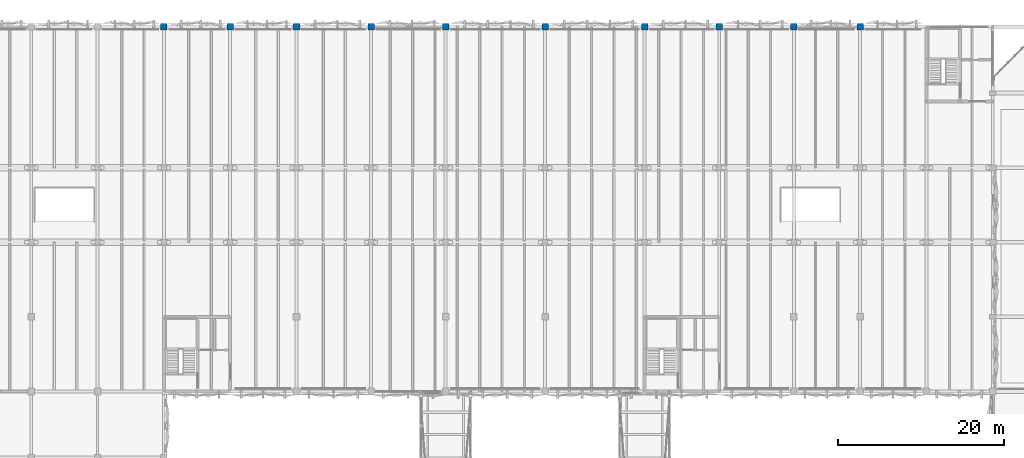
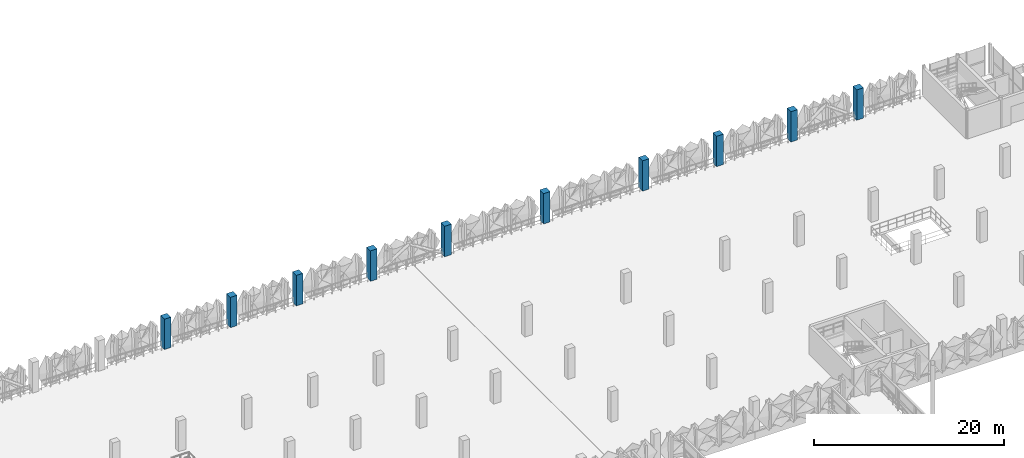
# One storey, part 18 of 123: 10 columns.
"""IFC4 building model written with IfcOpenShell, lengths in metres."""

from ifc_helpers import new_model, si_unit, derived_unit, direction, frame, origin, origin_2d, place, context, subcontext, project, spatial, rectangle, extrude, material, material_profile, profile_set, type_object, element, save


model = new_model("IFC4")

# Units and contexts
model_context = context("Model", 3, precision=1e-05, world=origin(), true_north=direction((0.0, 1.0)))
body_context = subcontext(model_context, "Body", "Model", "MODEL_VIEW")
ifc_project = project(units=[si_unit("LENGTHUNIT", "METRE"), si_unit("AREAUNIT", "SQUARE_METRE"), si_unit("VOLUMEUNIT", "CUBIC_METRE"), si_unit("PLANEANGLEUNIT", "RADIAN"), si_unit("MASSUNIT", "GRAM", prefix="KILO"), si_unit("THERMODYNAMICTEMPERATUREUNIT", "KELVIN"), derived_unit("THERMALTRANSMITTANCEUNIT", [(si_unit("POWERUNIT", "WATT"), 1), (si_unit("AREAUNIT", "SQUARE_METRE"), -1), (si_unit("THERMODYNAMICTEMPERATUREUNIT", "KELVIN"), -1)])], contexts=[model_context])

# Site, building, storey
site_placement = place(None, origin())
site = spatial("IfcSite", under=ifc_project, at=site_placement, CompositionType="ELEMENT")
building_placement = place(site_placement, origin())
building = spatial("IfcBuilding", under=site, at=building_placement, Name="Haiyu Intermodal Mobility Hub", CompositionType="ELEMENT")
storey_placement = place(building_placement, frame((0.0, 0.0, 5.60009765625)))
storey = spatial("IfcBuildingStorey", under=building, at=storey_placement, Name="L01", CompositionType="ELEMENT", Elevation=5.60009765625)

# Columns
ifc_material = material(Name="Precast concrete C40", Category="concrete")
ifc_material_profile = material_profile(ifc_material, rectangle(XDim=0.800048828125, YDim=0.800048828125, at=origin_2d()), Name="RC800x800")
ifc_profile_set = profile_set([ifc_material_profile], Name="Precast concrete C40")
column_type = type_object("IfcColumnType", Name="COL-CC02-EXT", PredefinedType="COLUMN", material=ifc_profile_set)
for number, where, z_axis, x_axis, name in (
    (1, (62.0, 148.0, 0.0), (0.0, 0.0, 1.0), (1.0, 0.0, 0.0), "Column V4-7S L01"),
    (2, (70.0, 148.0, 0.0), (0.0, 0.0, 1.0), (1.0, 0.0, 0.0), "Column V4-8S L01"),
    (3, (78.0, 148.0, 0.0), (0.0, 0.0, 1.0), (1.0, 0.0, 0.0), "Column V4-9S L01"),
    (4, (87.0, 148.0, 0.0), (0.0, 0.0, 1.0), (1.0, 0.0, 0.0), "Column V4-10S L01"),
    (5, (96.0, 148.0, 0.0), (0.0, 0.0, 1.0), (1.0, 0.0, 0.0), "Column V4-11S L01"),
    (6, (108.0, 148.0, 0.0), (0.0, 0.0, 1.0), (1.0, 0.0, 0.0), "Column V4-12S L01"),
    (7, (120.0, 148.0, 0.0), (0.0, 0.0, 1.0), (1.0, 0.0, 0.0), "Column V4-13S L01"),
    (8, (129.0, 148.0, 0.0), (0.0, 0.0, 1.0), (1.0, 0.0, 0.0), "Column V4-14S L01"),
    (9, (138.0, 148.0, 0.0), (0.0, 0.0, 1.0), (1.0, 0.0, 0.0), "Column V4-15S L01"),
    (10, (146.0, 148.0, 0.0), (0.0, 0.0, 1.0), (1.0, 0.0, 0.0), "Column V4-16S L01"),
):
    element("IfcColumn", number, at=place(storey_placement, frame(where, z_axis=z_axis, x_axis=x_axis)), inside=storey, type_object=column_type, Name=name, PredefinedType="COLUMN", context=body_context, shape_type="SweptSolid", body=[
        extrude(rectangle(XDim=0.800048828125, YDim=0.800048828125, at=origin_2d()), origin(), (0.0, 0.0, 1.0), 3.89990234375),
    ])

save(model, "model.ifc")
